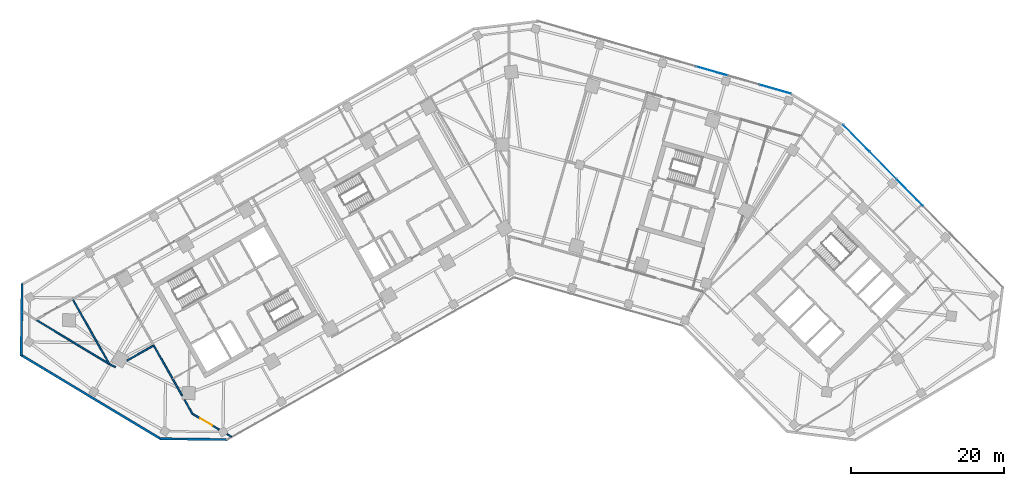
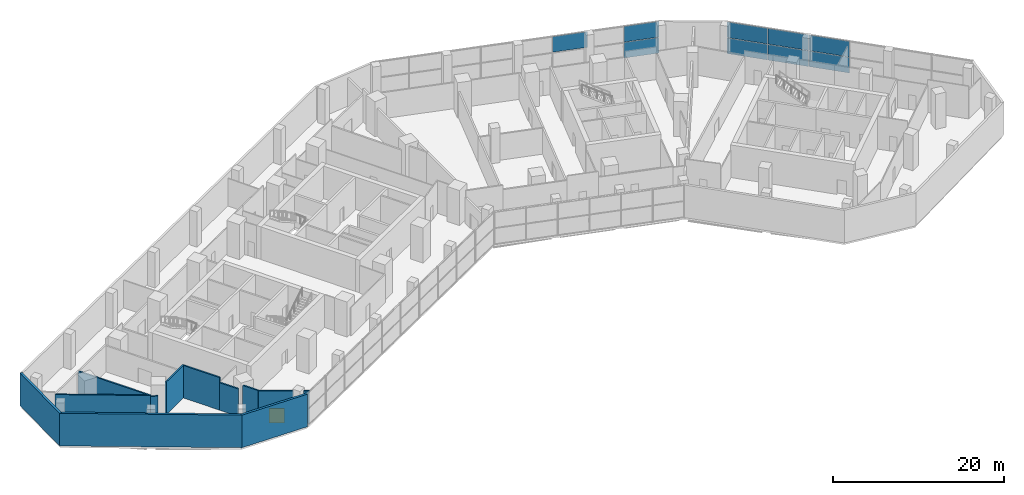
# One storey, part 10 of 18: 12 walls, 9 plates, 1 door, 1 opening, 2 elements without a shape of their own.
"""IFC4 building model written with IfcOpenShell, lengths in metres."""

from ifc_helpers import new_model, si_unit, direction, frame, frame_2d, origin, origin_2d, place, context, subcontext, project, spatial, rectangle, extrude, material, layer, layer_set, type_object, element, fill, aggregate, save


model = new_model("IFC4")

# Units and contexts
model_context = context("Model", 3, precision=1e-05, world=origin(), true_north=direction((0.0, 1.0)))
body_context = subcontext(model_context, "Body", "Model", "MODEL_VIEW")
ifc_project = project(units=[si_unit("LENGTHUNIT", "METRE"), si_unit("AREAUNIT", "SQUARE_METRE"), si_unit("VOLUMEUNIT", "CUBIC_METRE"), si_unit("PLANEANGLEUNIT", "RADIAN"), si_unit("MASSUNIT", "GRAM", prefix="KILO")], contexts=[model_context])

# Site, building, storey
site_placement = place(None, origin())
site = spatial("IfcSite", under=ifc_project, at=site_placement, CompositionType="ELEMENT")
building_placement = place(site_placement, origin())
building = spatial("IfcBuilding", under=site, at=building_placement, Name="Binnacle Exchange Tower", CompositionType="ELEMENT")
storey_placement = place(building_placement, frame((0.0, 0.0, 11.5)))
storey = spatial("IfcBuildingStorey", under=building, at=storey_placement, Name="L02", CompositionType="ELEMENT", Elevation=11.5)

# Curtain wall, plates
ifc_material_1 = material(Name="Bronze anodised aluminium frame", Category="aluminium")
curtain_wall_type = type_object("IfcCurtainWallType", Name="External wall - curtain wall north entrance", PredefinedType="NOTDEFINED", material=ifc_material_1)
curtain_wall_1_placement = place(storey_placement, origin())
curtain_wall_1 = element("IfcCurtainWall", 1, at=curtain_wall_1_placement, inside=storey, type_object=curtain_wall_type, Name="External wall curtain wall CW2-P00 L02", PredefinedType="NOTDEFINED")
ifc_material_2 = material(Name="Glass", Category="glass")
ifc_layer_1 = layer(ifc_material_2, 0.0400390625)
ifc_layer_set_1 = layer_set([ifc_layer_1], Name="CW2 GLASS PANEL 40")
plate_type = type_object("IfcPlateType", Name="CW2 GLASS PANEL 40", PredefinedType="CURTAIN_PANEL", material=ifc_layer_set_1)
plate_1_placement = place(storey_placement, frame((34.80517578125, 67.22119140625, 0.06005859375), z_axis=(0.0, 0.0, 1.0), x_axis=(-0.961261813316, 0.275636946471, 0.0)))
plate_1 = element("IfcPlate", 2, at=plate_1_placement, type_object=plate_type, Name="CW2-P00 panel 1.1", PredefinedType="CURTAIN_PANEL", context=body_context, shape_type="SweptSolid", body=[
    extrude(rectangle(XDim=4.19873046875, YDim=0.0400390625, at=origin_2d()), origin(), (0.0, 0.0, 1.0), 2.235107421875),
])
plate_2_placement = place(storey_placement, frame((34.80517578125, 67.22119140625, 2.35498046875), z_axis=(0.0, 0.0, 1.0), x_axis=(-0.961261813316, 0.275636946471, 0.0)))
plate_2 = element("IfcPlate", 3, at=plate_2_placement, type_object=plate_type, Name="CW2-P00 panel 1.2", PredefinedType="CURTAIN_PANEL", context=body_context, shape_type="SweptSolid", body=[
    extrude(rectangle(XDim=4.19873046875, YDim=0.0400390625, at=origin_2d()), origin(), (0.0, 0.0, 1.0), 2.235107421875),
])
plate_3_placement = place(storey_placement, frame((26.521728515625, 69.596435546875, 2.35498046875), z_axis=(0.0, 0.0, 1.0), x_axis=(-0.961261813316, 0.275636946471, 0.0)))
plate_3 = element("IfcPlate", 4, at=plate_3_placement, type_object=plate_type, Name="CW2-P00 panel 3.2", PredefinedType="CURTAIN_PANEL", context=body_context, shape_type="SweptSolid", body=[
    extrude(rectangle(XDim=4.238525390625, YDim=0.0400390625, at=origin_2d()), origin(), (0.0, 0.0, 1.0), 2.235107421875),
])
aggregate(curtain_wall_1, [plate_1, plate_2, plate_3])

curtain_wall_2_placement = place(storey_placement, origin())
curtain_wall_2 = element("IfcCurtainWall", 5, at=curtain_wall_2_placement, inside=storey, type_object=curtain_wall_type, Name="External wall curtain wall CW2-P12 L02", PredefinedType="NOTDEFINED")
plate_4_placement = place(storey_placement, frame((52.37060546875, 53.726318359375, 0.06005859375), z_axis=(0.0, 0.0, 1.0), x_axis=(-0.70090935439, 0.713250360623, 0.0)))
plate_4 = element("IfcPlate", 6, at=plate_4_placement, type_object=plate_type, Name="CW2-P12 panel 4.1", PredefinedType="CURTAIN_PANEL", context=body_context, shape_type="SweptSolid", body=[
    extrude(rectangle(XDim=4.902587890625, YDim=0.0400390625, at=origin_2d()), origin(), (0.0, 0.0, 1.0), 2.235107421875),
])
plate_5_placement = place(storey_placement, frame((52.37060546875, 53.726318359375, 2.35498046875), z_axis=(0.0, 0.0, 1.0), x_axis=(-0.70090935439, 0.713250360623, 0.0)))
plate_5 = element("IfcPlate", 7, at=plate_5_placement, type_object=plate_type, Name="CW2-P12 panel 4.2", PredefinedType="CURTAIN_PANEL", context=body_context, shape_type="SweptSolid", body=[
    extrude(rectangle(XDim=4.902587890625, YDim=0.0400390625, at=origin_2d()), origin(), (0.0, 0.0, 1.0), 2.235107421875),
])
plate_6_placement = place(storey_placement, frame((48.878173828125, 57.280029296875, 0.06005859375), z_axis=(0.0, 0.0, 1.0), x_axis=(-0.70090935439, 0.713250360623, 0.0)))
plate_6 = element("IfcPlate", 8, at=plate_6_placement, type_object=plate_type, Name="CW2-P12 panel 5.1", PredefinedType="CURTAIN_PANEL", context=body_context, shape_type="SweptSolid", body=[
    extrude(rectangle(XDim=4.902587890625, YDim=0.0400390625, at=origin_2d()), origin(), (0.0, 0.0, 1.0), 2.235107421875),
])
plate_7_placement = place(storey_placement, frame((48.878173828125, 57.280029296875, 2.35498046875), z_axis=(0.0, 0.0, 1.0), x_axis=(-0.70090935439, 0.713250360623, 0.0)))
plate_7 = element("IfcPlate", 9, at=plate_7_placement, type_object=plate_type, Name="CW2-P12 panel 5.2", PredefinedType="CURTAIN_PANEL", context=body_context, shape_type="SweptSolid", body=[
    extrude(rectangle(XDim=4.902587890625, YDim=0.0400390625, at=origin_2d()), origin(), (0.0, 0.0, 1.0), 2.235107421875),
])
plate_8_placement = place(storey_placement, frame((45.39990234375, 60.819580078125, 0.06005859375), z_axis=(0.0, 0.0, 1.0), x_axis=(-0.70090935439, 0.713250360623, 0.0)))
plate_8 = element("IfcPlate", 10, at=plate_8_placement, type_object=plate_type, Name="CW2-P12 panel 6.1", PredefinedType="CURTAIN_PANEL", context=body_context, shape_type="SweptSolid", body=[
    extrude(rectangle(XDim=4.862548828125, YDim=0.0400390625, at=origin_2d()), origin(), (0.0, 0.0, 1.0), 2.235107421875),
])
plate_9_placement = place(storey_placement, frame((45.39990234375, 60.819580078125, 2.35498046875), z_axis=(0.0, 0.0, 1.0), x_axis=(-0.70090935439, 0.713250360623, 0.0)))
plate_9 = element("IfcPlate", 11, at=plate_9_placement, type_object=plate_type, Name="CW2-P12 panel 6.2", PredefinedType="CURTAIN_PANEL", context=body_context, shape_type="SweptSolid", body=[
    extrude(rectangle(XDim=4.862548828125, YDim=0.0400390625, at=origin_2d()), origin(), (0.0, 0.0, 1.0), 2.235107421875),
])
aggregate(curtain_wall_2, [plate_4, plate_5, plate_6, plate_7, plate_8, plate_9])

# Walls
ifc_material_3 = material(Name="Bronze aluminium louvre", Category="aluminium")
ifc_layer_2 = layer(ifc_material_3, 0.300048828125)
ifc_layer_set_2 = layer_set([ifc_layer_2], Name="External wall - podium louvre 300")
wall_type_1 = type_object("IfcWallType", Name="External wall - podium louvre 300", PredefinedType="STANDARD", material=ifc_layer_set_2)
wall_1_placement = place(storey_placement, frame((-63.754150390625, 32.387451171875, 0.0), z_axis=(0.0, 0.0, 1.0), x_axis=(0.013081929375, 0.999914427901, 0.0)))
element("IfcWall", 12, at=wall_1_placement, inside=storey, type_object=wall_type_1, Name="External wall EW-P03 L02", PredefinedType="STANDARD", context=body_context, shape_type="SweptSolid", body=[
    extrude(rectangle(XDim=9.443115234375, YDim=0.300048828125, at=frame_2d((4.7216796875, 0.0))), origin(), (0.0, 0.0, 1.0), 4.64990234375),
])
wall_2_placement = place(storey_placement, frame((-45.526123046875, 21.521728515625, 0.0), z_axis=(0.0, 0.0, 1.0), x_axis=(-0.857164837164, 0.515042174903, 0.0)))
element("IfcWall", 13, at=wall_2_placement, inside=storey, type_object=wall_type_1, Name="External wall EW-P04 L02", PredefinedType="STANDARD", context=body_context, shape_type="SweptSolid", body=[
    extrude(rectangle(XDim=21.350341796875, YDim=0.300048828125, at=frame_2d((10.67529296875, 0.0))), origin(), (0.0, 0.0, 1.0), 4.64990234375),
])
wall_3_placement = place(storey_placement, frame((-36.821044921875, 21.42822265625, 0.0), z_axis=(0.0, 0.0, 1.0), x_axis=(-0.999914252794, 0.013095306781, 0.0)))
element("IfcWall", 14, at=wall_3_placement, inside=storey, type_object=wall_type_1, Name="External wall EW-P05 L02", PredefinedType="STANDARD", context=body_context, shape_type="SweptSolid", body=[
    extrude(rectangle(XDim=8.781005859375, YDim=0.300048828125, at=frame_2d((4.390625, 0.0))), origin(), (0.0, 0.0, 1.0), 4.64990234375),
])
ifc_material_4 = material(Name="Masonry block wall", Category="masonry")
ifc_layer_3 = layer(ifc_material_4, 0.199951171875)
ifc_layer_set_3 = layer_set([ifc_layer_3], Name="Fire wall - block 200")
wall_type_2 = type_object("IfcWallType", Name="Fire wall - block 200", PredefinedType="PARTITIONING", material=ifc_layer_set_3)
wall_4_placement = place(storey_placement, frame((-61.822998046875, 37.0869140625, 0.0), z_axis=(0.0, 0.0, 1.0), x_axis=(0.85653126321, -0.516095141562, 0.0)))
element("IfcWall", 15, at=wall_4_placement, inside=storey, type_object=wall_type_2, Name="Partition W03", PredefinedType="PARTITIONING", context=body_context, shape_type="SweptSolid", body=[
    extrude(rectangle(XDim=11.1953125, YDim=0.199951171875, at=frame_2d((5.59765625, 0.0))), origin(), (0.0, 0.0, 1.0), 3.822021484375),
])
wall_5_placement = place(storey_placement, frame((-57.035888671875, 39.794921875, 0.0), z_axis=(0.0, 0.0, 1.0), x_axis=(0.492496959124, -0.870314164687, 0.0)))
element("IfcWall", 16, at=wall_5_placement, inside=storey, type_object=wall_type_2, Name="Partition W04", PredefinedType="PARTITIONING", context=body_context, shape_type="SweptSolid", body=[
    extrude(rectangle(XDim=9.750244140625, YDim=0.199951171875, at=frame_2d((4.875, 0.0))), origin(), (0.0, 0.0, 1.0), 3.822021484375),
])
wall_6_placement = place(storey_placement, frame((-52.23388671875, 31.30908203125, 0.0), z_axis=(0.0, 0.0, 1.0), x_axis=(0.89219447326, -0.451651438483, 0.0)))
element("IfcWall", 17, at=wall_6_placement, inside=storey, type_object=wall_type_2, Name="Partition W06", PredefinedType="PARTITIONING", context=body_context, shape_type="SweptSolid", body=[
    extrude(rectangle(XDim=0.901123046875, YDim=0.199951171875, at=frame_2d((0.45068359375, 0.0))), origin(), (0.0, 0.0, 1.0), 3.7119140625),
])
wall_7_placement = place(storey_placement, frame((-49.927978515625, 31.751953125, 0.0), z_axis=(0.0, 0.0, 1.0), x_axis=(0.870348099826, 0.492436985948, 0.0)))
element("IfcWall", 18, at=wall_7_placement, inside=storey, type_object=wall_type_2, Name="Partition W09", PredefinedType="PARTITIONING", context=body_context, shape_type="SweptSolid", body=[
    extrude(rectangle(XDim=4.024658203125, YDim=0.199951171875, at=frame_2d((2.01220703125, 0.0))), origin(), (0.0, 0.0, 1.0), 4.64990234375),
])
wall_8_placement = place(storey_placement, frame((-46.425048828125, 33.73388671875, 0.0), z_axis=(0.0, 0.0, 1.0), x_axis=(0.492427267353, -0.870353598469, 0.0)))
element("IfcWall", 19, at=wall_8_placement, inside=storey, type_object=wall_type_2, Name="Partition W12", PredefinedType="PARTITIONING", context=body_context, shape_type="SweptSolid", body=[
    extrude(rectangle(XDim=5.0, YDim=0.199951171875, at=frame_2d((2.5, 0.0))), origin(), (0.0, 0.0, 1.0), 4.64990234375),
])
wall_9_placement = place(storey_placement, frame((-43.962890625, 29.382080078125, 0.0), z_axis=(0.0, 0.0, 1.0), x_axis=(0.492408705769, -0.870364099951, 0.0)))
element("IfcWall", 20, at=wall_9_placement, inside=storey, type_object=wall_type_2, Name="Partition W13", PredefinedType="PARTITIONING", context=body_context, shape_type="SweptSolid", body=[
    extrude(rectangle(XDim=2.54052734375, YDim=0.199951171875, at=frame_2d((1.270263671875, 0.0))), origin(), (0.0, 0.0, 1.0), 3.929931640625),
])
wall_10_placement = place(storey_placement, frame((-42.41796875, 26.652099609375, 0.0), z_axis=(0.0, 0.0, 1.0), x_axis=(0.492251431349, -0.870453059237, 0.0)))
element("IfcWall", 21, at=wall_10_placement, inside=storey, type_object=wall_type_2, Name="Partition W16", PredefinedType="PARTITIONING", context=body_context, shape_type="SweptSolid", body=[
    extrude(rectangle(XDim=2.11279296875, YDim=0.199951171875, at=frame_2d((1.056396484375, 0.0))), origin(), (0.0, 0.0, 1.0), 4.64990234375),
])

# Wall, opening, door
wall_11_placement = place(storey_placement, frame((-41.3779296875, 24.81298828125, 0.0), z_axis=(0.0, 0.0, 1.0), x_axis=(0.860752907168, -0.509023017948, 0.0)))
wall_11 = element("IfcWall", 22, at=wall_11_placement, inside=storey, type_object=wall_type_2, Name="Partition W17", PredefinedType="PARTITIONING", context=body_context, shape_type="SweptSolid", body=[
    extrude(rectangle(XDim=4.08837890625, YDim=0.199951171875, at=frame_2d((2.044189453125, 0.0))), origin(), (0.0, 0.0, 1.0), 4.64990234375),
])
opening_placement = place(wall_11_placement, frame((1.199951171875, 0.0, 0.0)))
opening = element("IfcOpeningElement", 23, at=opening_placement, cuts=wall_11, Name="Opening DL01-09", PredefinedType="OPENING", context=body_context, shape_type="SweptSolid", body=[
    extrude(rectangle(XDim=1.800048828125, YDim=2.10009765625, at=frame_2d((0.89990234375, 1.050048828125))), frame((0.0, 0.10986328125, 0.0), z_axis=(0.0, -1.0, 0.0), x_axis=(1.0, 0.0, 0.0)), (0.0, 0.0, 1.0), 0.219970703125),
])
ifc_material_5 = material(Name="Steel door leaf", Category="steel")
door_type = type_object("IfcDoorType", Name="Fire door 1800", OperationType="NOTDEFINED", PredefinedType="DOOR", material=ifc_material_5)
door_placement = place(opening_placement, frame((1.800048828125, 0.0, 0.0), z_axis=(0.0, 0.0, 1.0), x_axis=(-1.0, 0.0, 0.0)))
door = element("IfcDoor", 24, at=door_placement, inside=storey, type_object=door_type, Name="Door DL01-09", OperationType="DOUBLE_DOOR_SINGLE_SWING", OverallHeight=2.10009765625, OverallWidth=1.800048828125, PredefinedType="DOOR", context=body_context, shape_type="SweptSolid", body=[
    extrude(rectangle(XDim=1.800048828125, YDim=2.10009765625, at=frame_2d((0.89990234375, 1.050048828125))), frame((0.0, 0.02490234375, 0.0), z_axis=(0.0, -1.0, 0.0), x_axis=(1.0, 0.0, 0.0)), (0.0, 0.0, 1.0), 0.050048828125),
])
fill(opening, door)

# Wall
wall_12_placement = place(storey_placement, frame((-36.865966796875, 22.14404296875, 0.0), z_axis=(0.0, 0.0, 1.0), x_axis=(0.861112187998, -0.508414987664, 0.0)))
element("IfcWall", 25, at=wall_12_placement, inside=storey, type_object=wall_type_2, Name="Partition W19", PredefinedType="PARTITIONING", context=body_context, shape_type="SweptSolid", body=[
    extrude(rectangle(XDim=0.680419921875, YDim=0.199951171875, at=frame_2d((0.34033203125, 0.0))), origin(), (0.0, 0.0, 1.0), 4.64990234375),
])

save(model, "model.ifc")
